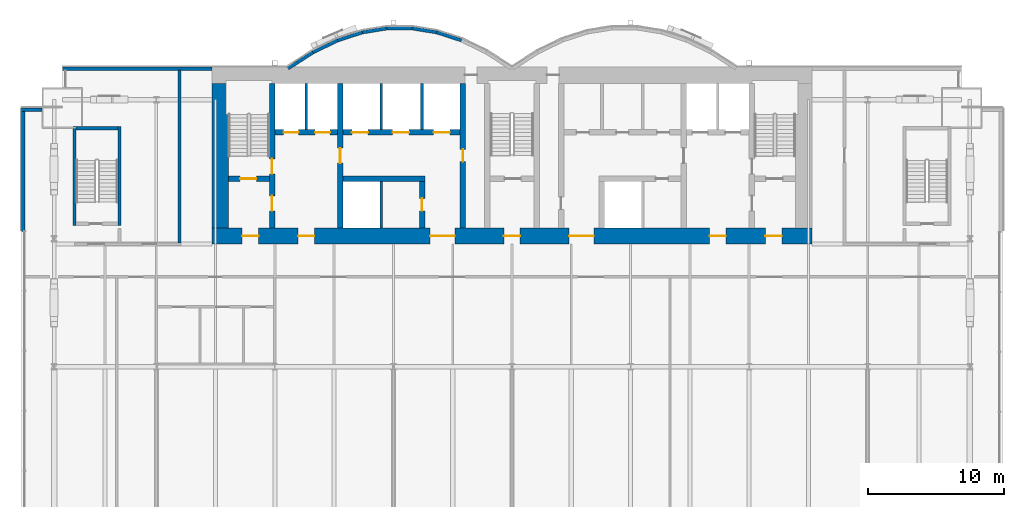
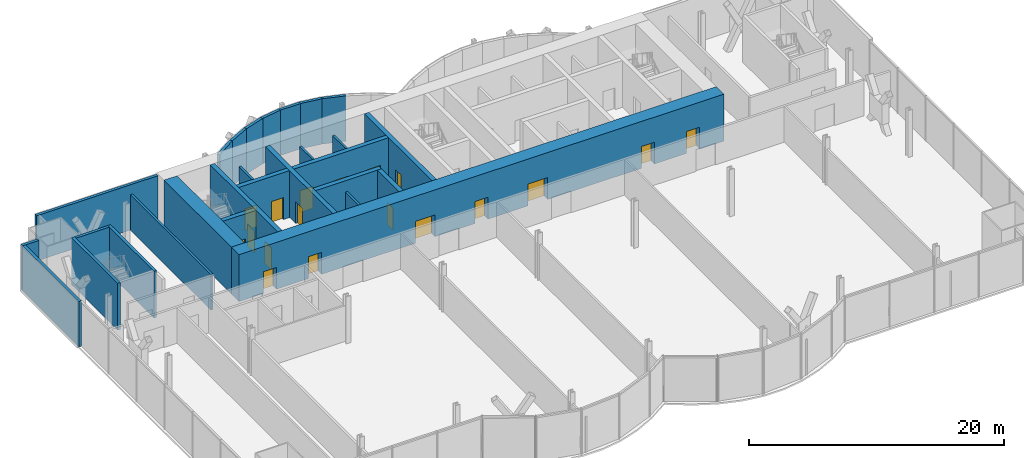
# One storey, part 16 of 22: 27 walls, 18 doors, 18 openings.
"""IFC4 building model written with IfcOpenShell, lengths in metres."""

from ifc_helpers import new_model, si_unit, direction, frame, frame_2d, origin, place, context, subcontext, project, spatial, rectangle, extrude, material, layer, layer_set, layer_usage, type_object, element, fill, save


model = new_model("IFC4")

# Units and contexts
model_context = context("Model", 3, precision=1e-05, world=origin(), true_north=direction((0.0, 1.0)))
body_context = subcontext(model_context, "Body", "Model", "MODEL_VIEW")
ifc_project = project(units=[si_unit("LENGTHUNIT", "METRE"), si_unit("AREAUNIT", "SQUARE_METRE"), si_unit("VOLUMEUNIT", "CUBIC_METRE"), si_unit("PLANEANGLEUNIT", "RADIAN"), si_unit("MASSUNIT", "GRAM", prefix="KILO")], contexts=[model_context])

# Site, building, storey
site_placement = place(None, origin())
site = spatial("IfcSite", under=ifc_project, at=site_placement, CompositionType="ELEMENT")
building_placement = place(site_placement, origin())
building = spatial("IfcBuilding", under=site, at=building_placement, Name="Bicima Exchange Tower", CompositionType="ELEMENT")
storey_placement = place(building_placement, frame((0.0, 0.0, 39.5)))
storey = spatial("IfcBuildingStorey", under=building, at=storey_placement, Name="L07", CompositionType="ELEMENT", Elevation=39.5)

# Walls
ifc_material_1 = material(Name="Gypsum board partition")
ifc_layer_1 = layer(ifc_material_1, 0.199951171875)
ifc_layer_set_1 = layer_set([ifc_layer_1], Name="Gypsum board partition")
wall_type_1 = type_object("IfcWallType", Name="Fire-rated gypsum partition 200 EI120", PredefinedType="PARTITIONING", material=ifc_layer_set_1)
for number, where, z_axis, x_axis, name in (
    (1, (-15.10009765625, -4.60009765625, 0.0), (0.0, 0.0, 1.0), (0.0, 1.0, 0.0), "partition wall 9"),
    (2, (-9.60009765625, -11.800048828125, 0.0), (0.0, 0.0, 1.0), (0.0, 1.0, 0.0), "partition wall 11"),
    (3, (-9.60009765625, -4.60009765625, 0.0), (0.0, 0.0, 1.0), (0.0, 1.0, 0.0), "partition wall 12"),
    (4, (-6.60009765625, -4.60009765625, 0.0), (0.0, 0.0, 1.0), (0.0, 1.0, 0.0), "partition wall 14"),
):
    element("IfcWall", number, at=place(storey_placement, frame(where, z_axis=z_axis, x_axis=x_axis)), inside=storey, type_object=wall_type_1, Name=name, PredefinedType="PARTITIONING", context=body_context, shape_type="SweptSolid", body=[
        extrude(rectangle(XDim=3.400146484375, YDim=0.199951171875, at=frame_2d((1.7001953125, 0.0))), origin(), (0.0, 0.0, 1.0), 3.418212890625),
    ])
ifc_layer_2 = layer(ifc_material_1, 0.199951171875)
ifc_layer_set_2 = layer_set([ifc_layer_2], Name="Gypsum board partition")
wall_type_2 = type_object("IfcWallType", Name="Fire-rated gypsum partition 200 EI60", PredefinedType="PARTITIONING", material=ifc_layer_set_2)
wall_1_placement = place(storey_placement, frame((-24.39990234375, -12.89990234375, 0.0), z_axis=(0.0, 0.0, 1.0), x_axis=(0.0, 1.0, 0.0)))
element("IfcWall", 5, at=wall_1_placement, inside=storey, type_object=wall_type_2, Name="partition wall 18", PredefinedType="PARTITIONING", context=body_context, shape_type="SweptSolid", body=[
    extrude(rectangle(XDim=12.68994140625, YDim=0.199951171875, at=frame_2d((6.344970703125, 0.0))), origin(), (0.0, 0.0, 1.0), 3.418212890625),
])

# Wall, openings, doors
ifc_material_2 = material(Name="Concrete C60/75", Category="concrete")
ifc_layer_3 = layer(ifc_material_2, 1.199951171875)
ifc_layer_set_3 = layer_set([ifc_layer_3], Name="Concrete C60/75")
wall_type_3 = type_object("IfcWallType", Name="RC core wall 1200 C60/75", PredefinedType="SHEAR", material=ifc_layer_set_3)
wall_2_placement = place(storey_placement, frame((-22.0, -12.39990234375, 0.0), z_axis=(0.0, 0.0, 1.0), x_axis=(1.0, 0.0, 0.0)))
wall_2 = element("IfcWall", 6, at=wall_2_placement, inside=storey, type_object=wall_type_3, Name="Core wall south", PredefinedType="SHEAR", context=body_context, shape_type="SweptSolid", body=[
    extrude(rectangle(XDim=44.0, YDim=1.199951171875, at=frame_2d((22.0, 0.0))), origin(), (0.0, 0.0, 1.0), 4.5),
])
opening_1_placement = place(wall_2_placement, frame((2.199951171875, 0.0, 0.0)))
opening_1 = element("IfcOpeningElement", 7, at=opening_1_placement, cuts=wall_2, Name="Opening L07-C19", PredefinedType="OPENING", context=body_context, shape_type="SweptSolid", body=[
    extrude(rectangle(XDim=1.199951171875, YDim=2.10009765625, at=frame_2d((0.60009765625, 1.050048828125))), frame((0.0, 0.61181640625, 0.0), z_axis=(0.0, -1.0, 0.0), x_axis=(1.0, 0.0, 0.0)), (0.0, 0.0, 1.0), 1.223876953125),
])
opening_2_placement = place(wall_2_placement, frame((21.39990234375, 0.0, 0.0)))
opening_2 = element("IfcOpeningElement", 8, at=opening_2_placement, cuts=wall_2, Name="Opening L07-C20", PredefinedType="OPENING", context=body_context, shape_type="SweptSolid", body=[
    extrude(rectangle(XDim=1.199951171875, YDim=2.10009765625, at=frame_2d((0.60009765625, 1.050048828125))), frame((0.0, 0.61181640625, 0.0), z_axis=(0.0, -1.0, 0.0), x_axis=(1.0, 0.0, 0.0)), (0.0, 0.0, 1.0), 1.223876953125),
])
opening_3_placement = place(wall_2_placement, frame((40.60009765625, 0.0, 0.0)))
opening_3 = element("IfcOpeningElement", 9, at=opening_3_placement, cuts=wall_2, Name="Opening L07-C21", PredefinedType="OPENING", context=body_context, shape_type="SweptSolid", body=[
    extrude(rectangle(XDim=1.199951171875, YDim=2.10009765625, at=frame_2d((0.60009765625, 1.050048828125))), frame((0.0, 0.61181640625, 0.0), z_axis=(0.0, -1.0, 0.0), x_axis=(1.0, 0.0, 0.0)), (0.0, 0.0, 1.0), 1.223876953125),
])
opening_4_placement = place(wall_2_placement, frame((16.0, 0.0, 0.0)))
opening_4 = element("IfcOpeningElement", 10, at=opening_4_placement, cuts=wall_2, Name="Opening L07-C22", PredefinedType="OPENING", context=body_context, shape_type="SweptSolid", body=[
    extrude(rectangle(XDim=1.800048828125, YDim=2.10009765625, at=frame_2d((0.89990234375, 1.050048828125))), frame((0.0, 0.61181640625, 0.0), z_axis=(0.0, -1.0, 0.0), x_axis=(1.0, 0.0, 0.0)), (0.0, 0.0, 1.0), 1.223876953125),
])
opening_5_placement = place(wall_2_placement, frame((6.300048828125, 0.0, 0.0)))
opening_5 = element("IfcOpeningElement", 11, at=opening_5_placement, cuts=wall_2, Name="Opening L07-C23", PredefinedType="OPENING", context=body_context, shape_type="SweptSolid", body=[
    extrude(rectangle(XDim=1.199951171875, YDim=2.10009765625, at=frame_2d((0.60009765625, 1.050048828125))), frame((0.0, 0.61181640625, 0.0), z_axis=(0.0, -1.0, 0.0), x_axis=(1.0, 0.0, 0.0)), (0.0, 0.0, 1.0), 1.223876953125),
])
opening_6_placement = place(wall_2_placement, frame((26.199951171875, 0.0, 0.0)))
opening_6 = element("IfcOpeningElement", 12, at=opening_6_placement, cuts=wall_2, Name="Opening L07-C24", PredefinedType="OPENING", context=body_context, shape_type="SweptSolid", body=[
    extrude(rectangle(XDim=1.800048828125, YDim=2.10009765625, at=frame_2d((0.89990234375, 1.050048828125))), frame((0.0, 0.61181640625, 0.0), z_axis=(0.0, -1.0, 0.0), x_axis=(1.0, 0.0, 0.0)), (0.0, 0.0, 1.0), 1.223876953125),
])
opening_7_placement = place(wall_2_placement, frame((36.5, 0.0, 0.0)))
opening_7 = element("IfcOpeningElement", 13, at=opening_7_placement, cuts=wall_2, Name="Opening L07-C25", PredefinedType="OPENING", context=body_context, shape_type="SweptSolid", body=[
    extrude(rectangle(XDim=1.199951171875, YDim=2.10009765625, at=frame_2d((0.60009765625, 1.050048828125))), frame((0.0, 0.61181640625, 0.0), z_axis=(0.0, -1.0, 0.0), x_axis=(1.0, 0.0, 0.0)), (0.0, 0.0, 1.0), 1.223876953125),
])
ifc_material_3 = material(Name="Steel fire door leaf", Category="steel")
door_type_1 = type_object("IfcDoorType", Name="Door 1200 swing FD60S", OperationType="SINGLE_SWING_LEFT", PredefinedType="DOOR", material=ifc_material_3)
door_1_placement = place(opening_1_placement, frame((1.199951171875, 0.0, 0.0), z_axis=(0.0, 0.0, 1.0), x_axis=(-1.0, 0.0, 0.0)))
door_1 = element("IfcDoor", 14, at=door_1_placement, inside=storey, type_object=door_type_1, Name="Core door", OperationType="SINGLE_SWING_RIGHT", OverallHeight=2.10009765625, OverallWidth=1.199951171875, PredefinedType="DOOR", context=body_context, shape_type="SweptSolid", body=[
    extrude(rectangle(XDim=1.199951171875, YDim=2.10009765625, at=frame_2d((0.60009765625, 1.050048828125))), frame((0.0, 0.02490234375, 0.0), z_axis=(0.0, -1.0, 0.0), x_axis=(1.0, 0.0, 0.0)), (0.0, 0.0, 1.0), 0.050048828125),
])
fill(opening_1, door_1)
door_2_placement = place(opening_2_placement, frame((1.199951171875, 0.0, 0.0), z_axis=(0.0, 0.0, 1.0), x_axis=(-1.0, 0.0, 0.0)))
door_2 = element("IfcDoor", 15, at=door_2_placement, inside=storey, type_object=door_type_1, Name="Core door", OperationType="SINGLE_SWING_RIGHT", OverallHeight=2.10009765625, OverallWidth=1.199951171875, PredefinedType="DOOR", context=body_context, shape_type="SweptSolid", body=[
    extrude(rectangle(XDim=1.199951171875, YDim=2.10009765625, at=frame_2d((0.60009765625, 1.050048828125))), frame((0.0, 0.02490234375, 0.0), z_axis=(0.0, -1.0, 0.0), x_axis=(1.0, 0.0, 0.0)), (0.0, 0.0, 1.0), 0.050048828125),
])
fill(opening_2, door_2)
door_3_placement = place(opening_3_placement, frame((1.199951171875, 0.0, 0.0), z_axis=(0.0, 0.0, 1.0), x_axis=(-1.0, 0.0, 0.0)))
door_3 = element("IfcDoor", 16, at=door_3_placement, inside=storey, type_object=door_type_1, Name="Core door", OperationType="SINGLE_SWING_RIGHT", OverallHeight=2.10009765625, OverallWidth=1.199951171875, PredefinedType="DOOR", context=body_context, shape_type="SweptSolid", body=[
    extrude(rectangle(XDim=1.199951171875, YDim=2.10009765625, at=frame_2d((0.60009765625, 1.050048828125))), frame((0.0, 0.02490234375, 0.0), z_axis=(0.0, -1.0, 0.0), x_axis=(1.0, 0.0, 0.0)), (0.0, 0.0, 1.0), 0.050048828125),
])
fill(opening_3, door_3)
door_4_placement = place(opening_5_placement, frame((1.199951171875, 0.0, 0.0), z_axis=(0.0, 0.0, 1.0), x_axis=(-1.0, 0.0, 0.0)))
door_4 = element("IfcDoor", 17, at=door_4_placement, inside=storey, type_object=door_type_1, Name="Core door", OperationType="SINGLE_SWING_RIGHT", OverallHeight=2.10009765625, OverallWidth=1.199951171875, PredefinedType="DOOR", context=body_context, shape_type="SweptSolid", body=[
    extrude(rectangle(XDim=1.199951171875, YDim=2.10009765625, at=frame_2d((0.60009765625, 1.050048828125))), frame((0.0, 0.02490234375, 0.0), z_axis=(0.0, -1.0, 0.0), x_axis=(1.0, 0.0, 0.0)), (0.0, 0.0, 1.0), 0.050048828125),
])
fill(opening_5, door_4)
door_5_placement = place(opening_7_placement, frame((1.199951171875, 0.0, 0.0), z_axis=(0.0, 0.0, 1.0), x_axis=(-1.0, 0.0, 0.0)))
door_5 = element("IfcDoor", 18, at=door_5_placement, inside=storey, type_object=door_type_1, Name="Core door", OperationType="SINGLE_SWING_RIGHT", OverallHeight=2.10009765625, OverallWidth=1.199951171875, PredefinedType="DOOR", context=body_context, shape_type="SweptSolid", body=[
    extrude(rectangle(XDim=1.199951171875, YDim=2.10009765625, at=frame_2d((0.60009765625, 1.050048828125))), frame((0.0, 0.02490234375, 0.0), z_axis=(0.0, -1.0, 0.0), x_axis=(1.0, 0.0, 0.0)), (0.0, 0.0, 1.0), 0.050048828125),
])
fill(opening_7, door_5)
door_type_2 = type_object("IfcDoorType", Name="Door 1800 double swing FD30S", OperationType="DOUBLE_DOOR_SINGLE_SWING", PredefinedType="DOOR", material=ifc_material_3)
door_6_placement = place(opening_4_placement, origin())
door_6 = element("IfcDoor", 19, at=door_6_placement, inside=storey, type_object=door_type_2, Name="Core door", OperationType="SINGLE_SWING_LEFT", OverallHeight=2.10009765625, OverallWidth=1.800048828125, PredefinedType="DOOR", context=body_context, shape_type="SweptSolid", body=[
    extrude(rectangle(XDim=1.800048828125, YDim=2.10009765625, at=frame_2d((0.89990234375, 1.050048828125))), frame((0.0, 0.02490234375, 0.0), z_axis=(0.0, -1.0, 0.0), x_axis=(1.0, 0.0, 0.0)), (0.0, 0.0, 1.0), 0.050048828125),
])
fill(opening_4, door_6)
door_7_placement = place(opening_6_placement, origin())
door_7 = element("IfcDoor", 20, at=door_7_placement, inside=storey, type_object=door_type_2, Name="Core door", OperationType="SINGLE_SWING_LEFT", OverallHeight=2.10009765625, OverallWidth=1.800048828125, PredefinedType="DOOR", context=body_context, shape_type="SweptSolid", body=[
    extrude(rectangle(XDim=1.800048828125, YDim=2.10009765625, at=frame_2d((0.89990234375, 1.050048828125))), frame((0.0, 0.02490234375, 0.0), z_axis=(0.0, -1.0, 0.0), x_axis=(1.0, 0.0, 0.0)), (0.0, 0.0, 1.0), 0.050048828125),
])
fill(opening_6, door_7)

# Wall
wall_3_placement = place(storey_placement, frame((-21.39990234375, -11.800048828125, 0.0), z_axis=(0.0, 0.0, 1.0), x_axis=(0.0, 1.0, 0.0)))
element("IfcWall", 21, at=wall_3_placement, inside=storey, type_object=wall_type_3, Name="Core wall west", PredefinedType="SHEAR", context=body_context, shape_type="SweptSolid", body=[
    extrude(rectangle(XDim=10.60009765625, YDim=1.199951171875, at=frame_2d((5.300048828125, 0.0))), origin(), (0.0, 0.0, 1.0), 4.5),
])

# Wall, opening, door
ifc_material_4 = material(Name="Concrete C50/60", Category="concrete")
ifc_layer_4 = layer(ifc_material_4, 0.39990234375)
ifc_layer_set_4 = layer_set([ifc_layer_4], Name="Concrete C50/60")
wall_type_4 = type_object("IfcWallType", Name="RC core wall 400 C50/60", PredefinedType="SHEAR", material=ifc_layer_set_4)
wall_4_placement = place(storey_placement, frame((-20.800048828125, -8.199951171875, 0.0), z_axis=(0.0, 0.0, 1.0), x_axis=(1.0, 0.0, 0.0)))
wall_4 = element("IfcWall", 22, at=wall_4_placement, inside=storey, type_object=wall_type_4, Name="stair wall 1", PredefinedType="SHEAR", context=body_context, shape_type="SweptSolid", body=[
    extrude(rectangle(XDim=3.0, YDim=0.39990234375, at=frame_2d((1.5, 0.0))), origin(), (0.0, 0.0, 1.0), 4.5),
])
opening_8_placement = place(wall_4_placement, frame((0.85009765625, 0.0, 0.0)))
opening_8 = element("IfcOpeningElement", 23, at=opening_8_placement, cuts=wall_4, Name="Opening L07-C01", PredefinedType="OPENING", context=body_context, shape_type="SweptSolid", body=[
    extrude(rectangle(XDim=1.199951171875, YDim=2.10009765625, at=frame_2d((0.60009765625, 1.050048828125))), frame((0.0, 0.2119140625, 0.0), z_axis=(0.0, -1.0, 0.0), x_axis=(1.0, 0.0, 0.0)), (0.0, 0.0, 1.0), 0.423828125),
])
door_8_placement = place(opening_8_placement, origin())
door_8 = element("IfcDoor", 24, at=door_8_placement, inside=storey, type_object=door_type_1, Name="Core door", OperationType="SINGLE_SWING_LEFT", OverallHeight=2.10009765625, OverallWidth=1.199951171875, PredefinedType="DOOR", context=body_context, shape_type="SweptSolid", body=[
    extrude(rectangle(XDim=1.199951171875, YDim=2.10009765625, at=frame_2d((0.60009765625, 1.050048828125))), frame((0.0, 0.02490234375, 0.0), z_axis=(0.0, -1.0, 0.0), x_axis=(1.0, 0.0, 0.0)), (0.0, 0.0, 1.0), 0.050048828125),
])
fill(opening_8, door_8)

# Wall, openings, doors
wall_5_placement = place(storey_placement, frame((-17.60009765625, -11.800048828125, 0.0), z_axis=(0.0, 0.0, 1.0), x_axis=(0.0, 1.0, 0.0)))
wall_5 = element("IfcWall", 25, at=wall_5_placement, inside=storey, type_object=wall_type_4, Name="stair wall 8", PredefinedType="SHEAR", context=body_context, shape_type="SweptSolid", body=[
    extrude(rectangle(XDim=10.60009765625, YDim=0.39990234375, at=frame_2d((5.300048828125, 0.0))), origin(), (0.0, 0.0, 1.0), 4.5),
])
opening_9_placement = place(wall_5_placement, frame((1.25, 0.0, 0.0)))
opening_9 = element("IfcOpeningElement", 26, at=opening_9_placement, cuts=wall_5, Name="Opening L07-C02", PredefinedType="OPENING", context=body_context, shape_type="SweptSolid", body=[
    extrude(rectangle(XDim=1.10009765625, YDim=2.10009765625, at=frame_2d((0.550048828125, 1.050048828125))), frame((0.0, 0.2119140625, 0.0), z_axis=(0.0, -1.0, 0.0), x_axis=(1.0, 0.0, 0.0)), (0.0, 0.0, 1.0), 0.423828125),
])
opening_10_placement = place(wall_5_placement, frame((3.949951171875, 0.0, 0.0)))
opening_10 = element("IfcOpeningElement", 27, at=opening_10_placement, cuts=wall_5, Name="Opening L07-C06", PredefinedType="OPENING", context=body_context, shape_type="SweptSolid", body=[
    extrude(rectangle(XDim=1.10009765625, YDim=2.10009765625, at=frame_2d((0.550048828125, 1.050048828125))), frame((0.0, 0.2119140625, 0.0), z_axis=(0.0, -1.0, 0.0), x_axis=(1.0, 0.0, 0.0)), (0.0, 0.0, 1.0), 0.423828125),
])
door_type_3 = type_object("IfcDoorType", Name="Door 1100 swing FD60S", OperationType="SINGLE_SWING_LEFT", PredefinedType="DOOR", material=ifc_material_3)
door_9_placement = place(opening_9_placement, frame((1.10009765625, 0.0, 0.0), z_axis=(0.0, 0.0, 1.0), x_axis=(-1.0, 0.0, 0.0)))
door_9 = element("IfcDoor", 28, at=door_9_placement, inside=storey, type_object=door_type_3, Name="Core door", OperationType="SINGLE_SWING_LEFT", OverallHeight=2.10009765625, OverallWidth=1.10009765625, PredefinedType="DOOR", context=body_context, shape_type="SweptSolid", body=[
    extrude(rectangle(XDim=1.10009765625, YDim=2.10009765625, at=frame_2d((0.550048828125, 1.050048828125))), frame((0.0, 0.02490234375, 0.0), z_axis=(0.0, -1.0, 0.0), x_axis=(1.0, 0.0, 0.0)), (0.0, 0.0, 1.0), 0.050048828125),
])
fill(opening_9, door_9)
door_10_placement = place(opening_10_placement, frame((1.10009765625, 0.0, 0.0), z_axis=(0.0, 0.0, 1.0), x_axis=(-1.0, 0.0, 0.0)))
door_10 = element("IfcDoor", 29, at=door_10_placement, inside=storey, type_object=door_type_3, Name="Core door", OperationType="SINGLE_SWING_LEFT", OverallHeight=2.10009765625, OverallWidth=1.10009765625, PredefinedType="DOOR", context=body_context, shape_type="SweptSolid", body=[
    extrude(rectangle(XDim=1.10009765625, YDim=2.10009765625, at=frame_2d((0.550048828125, 1.050048828125))), frame((0.0, 0.02490234375, 0.0), z_axis=(0.0, -1.0, 0.0), x_axis=(1.0, 0.0, 0.0)), (0.0, 0.0, 1.0), 0.050048828125),
])
fill(opening_10, door_10)

# Wall
ifc_layer_5 = layer(ifc_material_2, 0.39990234375)
ifc_layer_set_5 = layer_set([ifc_layer_5], Name="Concrete C60/75")
wall_type_5 = type_object("IfcWallType", Name="RC core wall 400 C60/75", PredefinedType="SHEAR", material=ifc_layer_set_5)
wall_6_placement = place(storey_placement, frame((-12.39990234375, -8.199951171875, 0.0), z_axis=(0.0, 0.0, 1.0), x_axis=(1.0, 0.0, 0.0)))
element("IfcWall", 30, at=wall_6_placement, inside=storey, type_object=wall_type_5, Name="shear wall 2", PredefinedType="SHEAR", context=body_context, shape_type="SweptSolid", body=[
    extrude(rectangle(XDim=6.0, YDim=0.39990234375, at=frame_2d((3.0, 0.0))), origin(), (0.0, 0.0, 1.0), 4.5),
])

# Wall, openings, doors
wall_7_placement = place(storey_placement, frame((-17.39990234375, -4.800048828125, 0.0), z_axis=(0.0, 0.0, 1.0), x_axis=(1.0, 0.0, 0.0)))
wall_7 = element("IfcWall", 31, at=wall_7_placement, inside=storey, type_object=wall_type_5, Name="shear wall 6", PredefinedType="SHEAR", context=body_context, shape_type="SweptSolid", body=[
    extrude(rectangle(XDim=13.599853515625, YDim=0.39990234375, at=frame_2d((6.7998046875, 0.0))), origin(), (0.0, 0.0, 1.0), 4.5),
])
opening_11_placement = place(wall_7_placement, frame((0.64990234375, 0.0, 0.0)))
opening_11 = element("IfcOpeningElement", 32, at=opening_11_placement, cuts=wall_7, Name="Opening LD-FF1-L07", PredefinedType="OPENING", context=body_context, shape_type="SweptSolid", body=[
    extrude(rectangle(XDim=1.10009765625, YDim=2.10009765625, at=frame_2d((0.550048828125, 1.050048828125))), frame((0.0, 0.2119140625, 0.0), z_axis=(0.0, -1.0, 0.0), x_axis=(1.0, 0.0, 0.0)), (0.0, 0.0, 1.0), 0.423828125),
])
opening_12_placement = place(wall_7_placement, frame((2.949951171875, 0.0, 0.0)))
opening_12 = element("IfcOpeningElement", 33, at=opening_12_placement, cuts=wall_7, Name="Opening LD-FF3-L07", PredefinedType="OPENING", context=body_context, shape_type="SweptSolid", body=[
    extrude(rectangle(XDim=1.10009765625, YDim=2.10009765625, at=frame_2d((0.550048828125, 1.050048828125))), frame((0.0, 0.2119140625, 0.0), z_axis=(0.0, -1.0, 0.0), x_axis=(1.0, 0.0, 0.0)), (0.0, 0.0, 1.0), 0.423828125),
])
opening_13_placement = place(wall_7_placement, frame((5.64990234375, 0.0, 0.0)))
opening_13 = element("IfcOpeningElement", 34, at=opening_13_placement, cuts=wall_7, Name="Opening LD-LB1-L07", PredefinedType="OPENING", context=body_context, shape_type="SweptSolid", body=[
    extrude(rectangle(XDim=1.199951171875, YDim=2.10009765625, at=frame_2d((0.60009765625, 1.050048828125))), frame((0.0, 0.2119140625, 0.0), z_axis=(0.0, -1.0, 0.0), x_axis=(1.0, 0.0, 0.0)), (0.0, 0.0, 1.0), 0.423828125),
])
opening_14_placement = place(wall_7_placement, frame((8.64990234375, 0.0, 0.0)))
opening_14 = element("IfcOpeningElement", 35, at=opening_14_placement, cuts=wall_7, Name="Opening LD-LB2-L07", PredefinedType="OPENING", context=body_context, shape_type="SweptSolid", body=[
    extrude(rectangle(XDim=1.199951171875, YDim=2.10009765625, at=frame_2d((0.60009765625, 1.050048828125))), frame((0.0, 0.2119140625, 0.0), z_axis=(0.0, -1.0, 0.0), x_axis=(1.0, 0.0, 0.0)), (0.0, 0.0, 1.0), 0.423828125),
])
opening_15_placement = place(wall_7_placement, frame((11.64990234375, 0.0, 0.0)))
opening_15 = element("IfcOpeningElement", 36, at=opening_15_placement, cuts=wall_7, Name="Opening LD-LB3-L07", PredefinedType="OPENING", context=body_context, shape_type="SweptSolid", body=[
    extrude(rectangle(XDim=1.199951171875, YDim=2.10009765625, at=frame_2d((0.60009765625, 1.050048828125))), frame((0.0, 0.2119140625, 0.0), z_axis=(0.0, -1.0, 0.0), x_axis=(1.0, 0.0, 0.0)), (0.0, 0.0, 1.0), 0.423828125),
])
ifc_material_5 = material(Name="Stainless steel", Category="steel")
door_type_4 = type_object("IfcDoorType", Name="Lift landing door 1100 sliding", OperationType="DOUBLE_DOOR_SLIDING", PredefinedType="DOOR", material=ifc_material_5)
door_11_placement = place(opening_11_placement, origin())
door_11 = element("IfcDoor", 37, at=door_11_placement, inside=storey, type_object=door_type_4, Name="Lift landing door FF1", OperationType="DOUBLE_DOOR_SLIDING", OverallHeight=2.10009765625, OverallWidth=1.10009765625, PredefinedType="DOOR", context=body_context, shape_type="SweptSolid", body=[
    extrude(rectangle(XDim=1.10009765625, YDim=2.10009765625, at=frame_2d((0.550048828125, 1.050048828125))), frame((0.0, 0.02490234375, 0.0), z_axis=(0.0, -1.0, 0.0), x_axis=(1.0, 0.0, 0.0)), (0.0, 0.0, 1.0), 0.050048828125),
])
fill(opening_11, door_11)
door_12_placement = place(opening_12_placement, origin())
door_12 = element("IfcDoor", 38, at=door_12_placement, inside=storey, type_object=door_type_4, Name="Lift landing door FF3", OperationType="DOUBLE_DOOR_SLIDING", OverallHeight=2.10009765625, OverallWidth=1.10009765625, PredefinedType="DOOR", context=body_context, shape_type="SweptSolid", body=[
    extrude(rectangle(XDim=1.10009765625, YDim=2.10009765625, at=frame_2d((0.550048828125, 1.050048828125))), frame((0.0, 0.02490234375, 0.0), z_axis=(0.0, -1.0, 0.0), x_axis=(1.0, 0.0, 0.0)), (0.0, 0.0, 1.0), 0.050048828125),
])
fill(opening_12, door_12)
door_type_5 = type_object("IfcDoorType", Name="Lift landing door 1200 sliding", OperationType="DOUBLE_DOOR_SLIDING", PredefinedType="DOOR", material=ifc_material_5)
door_13_placement = place(opening_13_placement, origin())
door_13 = element("IfcDoor", 39, at=door_13_placement, inside=storey, type_object=door_type_5, Name="Lift landing door LB1", OperationType="DOUBLE_DOOR_SLIDING", OverallHeight=2.10009765625, OverallWidth=1.199951171875, PredefinedType="DOOR", context=body_context, shape_type="SweptSolid", body=[
    extrude(rectangle(XDim=1.199951171875, YDim=2.10009765625, at=frame_2d((0.60009765625, 1.050048828125))), frame((0.0, 0.02490234375, 0.0), z_axis=(0.0, -1.0, 0.0), x_axis=(1.0, 0.0, 0.0)), (0.0, 0.0, 1.0), 0.050048828125),
])
fill(opening_13, door_13)
door_14_placement = place(opening_14_placement, origin())
door_14 = element("IfcDoor", 40, at=door_14_placement, inside=storey, type_object=door_type_5, Name="Lift landing door LB2", OperationType="DOUBLE_DOOR_SLIDING", OverallHeight=2.10009765625, OverallWidth=1.199951171875, PredefinedType="DOOR", context=body_context, shape_type="SweptSolid", body=[
    extrude(rectangle(XDim=1.199951171875, YDim=2.10009765625, at=frame_2d((0.60009765625, 1.050048828125))), frame((0.0, 0.02490234375, 0.0), z_axis=(0.0, -1.0, 0.0), x_axis=(1.0, 0.0, 0.0)), (0.0, 0.0, 1.0), 0.050048828125),
])
fill(opening_14, door_14)
door_15_placement = place(opening_15_placement, origin())
door_15 = element("IfcDoor", 41, at=door_15_placement, inside=storey, type_object=door_type_5, Name="Lift landing door LB3", OperationType="DOUBLE_DOOR_SLIDING", OverallHeight=2.10009765625, OverallWidth=1.199951171875, PredefinedType="DOOR", context=body_context, shape_type="SweptSolid", body=[
    extrude(rectangle(XDim=1.199951171875, YDim=2.10009765625, at=frame_2d((0.60009765625, 1.050048828125))), frame((0.0, 0.02490234375, 0.0), z_axis=(0.0, -1.0, 0.0), x_axis=(1.0, 0.0, 0.0)), (0.0, 0.0, 1.0), 0.050048828125),
])
fill(opening_15, door_15)

# Wall, opening, door
wall_8_placement = place(storey_placement, frame((-12.60009765625, -11.800048828125, 0.0), z_axis=(0.0, 0.0, 1.0), x_axis=(0.0, 1.0, 0.0)))
wall_8 = element("IfcWall", 42, at=wall_8_placement, inside=storey, type_object=wall_type_5, Name="shear wall 10", PredefinedType="SHEAR", context=body_context, shape_type="SweptSolid", body=[
    extrude(rectangle(XDim=10.60009765625, YDim=0.39990234375, at=frame_2d((5.300048828125, 0.0))), origin(), (0.0, 0.0, 1.0), 4.5),
])
opening_16_placement = place(wall_8_placement, frame((4.75, 0.0, 0.0)))
opening_16 = element("IfcOpeningElement", 43, at=opening_16_placement, cuts=wall_8, Name="Opening L07-C07", PredefinedType="OPENING", context=body_context, shape_type="SweptSolid", body=[
    extrude(rectangle(XDim=1.10009765625, YDim=2.10009765625, at=frame_2d((0.550048828125, 1.050048828125))), frame((0.0, 0.2119140625, 0.0), z_axis=(0.0, -1.0, 0.0), x_axis=(1.0, 0.0, 0.0)), (0.0, 0.0, 1.0), 0.423828125),
])
door_16_placement = place(opening_16_placement, origin())
door_16 = element("IfcDoor", 44, at=door_16_placement, inside=storey, type_object=door_type_3, Name="Core door", OperationType="SINGLE_SWING_LEFT", OverallHeight=2.10009765625, OverallWidth=1.10009765625, PredefinedType="DOOR", context=body_context, shape_type="SweptSolid", body=[
    extrude(rectangle(XDim=1.10009765625, YDim=2.10009765625, at=frame_2d((0.550048828125, 1.050048828125))), frame((0.0, 0.02490234375, 0.0), z_axis=(0.0, -1.0, 0.0), x_axis=(1.0, 0.0, 0.0)), (0.0, 0.0, 1.0), 0.050048828125),
])
fill(opening_16, door_16)

wall_9_placement = place(storey_placement, frame((-6.60009765625, -11.800048828125, 0.0), z_axis=(0.0, 0.0, 1.0), x_axis=(0.0, 1.0, 0.0)))
wall_9 = element("IfcWall", 45, at=wall_9_placement, inside=storey, type_object=wall_type_5, Name="shear wall 13", PredefinedType="SHEAR", context=body_context, shape_type="SweptSolid", body=[
    extrude(rectangle(XDim=3.400146484375, YDim=0.39990234375, at=frame_2d((1.7001953125, 0.0))), origin(), (0.0, 0.0, 1.0), 4.5),
])
opening_17_placement = place(wall_9_placement, frame((1.25, 0.0, 0.0)))
opening_17 = element("IfcOpeningElement", 46, at=opening_17_placement, cuts=wall_9, Name="Opening L07-C15", PredefinedType="OPENING", context=body_context, shape_type="SweptSolid", body=[
    extrude(rectangle(XDim=0.89990234375, YDim=2.10009765625, at=frame_2d((0.449951171875, 1.050048828125))), frame((0.0, 0.2119140625, 0.0), z_axis=(0.0, -1.0, 0.0), x_axis=(1.0, 0.0, 0.0)), (0.0, 0.0, 1.0), 0.423828125),
])
door_type_6 = type_object("IfcDoorType", Name="Door 900 swing FD30S", OperationType="SINGLE_SWING_LEFT", PredefinedType="DOOR", material=ifc_material_3)
door_17_placement = place(opening_17_placement, origin())
door_17 = element("IfcDoor", 47, at=door_17_placement, inside=storey, type_object=door_type_6, Name="Core door", OperationType="SINGLE_SWING_LEFT", OverallHeight=2.10009765625, OverallWidth=0.89990234375, PredefinedType="DOOR", context=body_context, shape_type="SweptSolid", body=[
    extrude(rectangle(XDim=0.89990234375, YDim=2.10009765625, at=frame_2d((0.449951171875, 1.050048828125))), frame((0.0, 0.02490234375, 0.0), z_axis=(0.0, -1.0, 0.0), x_axis=(1.0, 0.0, 0.0)), (0.0, 0.0, 1.0), 0.050048828125),
])
fill(opening_17, door_17)

wall_10_placement = place(storey_placement, frame((-3.60009765625, -11.800048828125, 0.0), z_axis=(0.0, 0.0, 1.0), x_axis=(0.0, 1.0, 0.0)))
wall_10 = element("IfcWall", 48, at=wall_10_placement, inside=storey, type_object=wall_type_5, Name="shear wall 15", PredefinedType="SHEAR", context=body_context, shape_type="SweptSolid", body=[
    extrude(rectangle(XDim=10.60009765625, YDim=0.39990234375, at=frame_2d((5.300048828125, 0.0))), origin(), (0.0, 0.0, 1.0), 4.5),
])
opening_18_placement = place(wall_10_placement, frame((4.85009765625, 0.0, 0.0)))
opening_18 = element("IfcOpeningElement", 49, at=opening_18_placement, cuts=wall_10, Name="Opening L07-C10", PredefinedType="OPENING", context=body_context, shape_type="SweptSolid", body=[
    extrude(rectangle(XDim=0.89990234375, YDim=2.10009765625, at=frame_2d((0.449951171875, 1.050048828125))), frame((0.0, 0.2119140625, 0.0), z_axis=(0.0, -1.0, 0.0), x_axis=(1.0, 0.0, 0.0)), (0.0, 0.0, 1.0), 0.423828125),
])
door_18_placement = place(opening_18_placement, frame((0.89990234375, 0.0, 0.0), z_axis=(0.0, 0.0, 1.0), x_axis=(-1.0, 0.0, 0.0)))
door_18 = element("IfcDoor", 50, at=door_18_placement, inside=storey, type_object=door_type_6, Name="Core door", OperationType="SINGLE_SWING_LEFT", OverallHeight=2.10009765625, OverallWidth=0.89990234375, PredefinedType="DOOR", context=body_context, shape_type="SweptSolid", body=[
    extrude(rectangle(XDim=0.89990234375, YDim=2.10009765625, at=frame_2d((0.449951171875, 1.050048828125))), frame((0.0, 0.02490234375, 0.0), z_axis=(0.0, -1.0, 0.0), x_axis=(1.0, 0.0, 0.0)), (0.0, 0.0, 1.0), 0.050048828125),
])
fill(opening_18, door_18)

# Walls
ifc_layer_6 = layer(ifc_material_4, 0.25)
ifc_layer_set_6 = layer_set([ifc_layer_6], Name="Concrete C50/60")
wall_type_6 = type_object("IfcWallType", Name="RC stair enclosure wall 250 C50/60", PredefinedType="SHEAR", material=ifc_layer_set_6)
for number, where, z_axis, x_axis, name in (
    (51, (-32.10009765625, -11.625, 0.0), (0.0, 0.0, 1.0), (0.0, 1.0, 0.0), "West end exit stair wall W"),
    (52, (-28.800048828125, -11.625, 0.0), (0.0, 0.0, 1.0), (0.0, 1.0, 0.0), "West end exit stair wall E"),
):
    element("IfcWall", number, at=place(storey_placement, frame(where, z_axis=z_axis, x_axis=x_axis)), inside=storey, type_object=wall_type_6, Name=name, PredefinedType="SHEAR", context=body_context, shape_type="SweptSolid", body=[
        extrude(rectangle(XDim=7.25, YDim=0.25, at=frame_2d((3.625, 0.0))), origin(), (0.0, 0.0, 1.0), 4.5),
    ])
wall_11_placement = place(storey_placement, frame((-31.97509765625, -4.5, 0.0), z_axis=(0.0, 0.0, 1.0), x_axis=(1.0, 0.0, 0.0)))
element("IfcWall", 53, at=wall_11_placement, inside=storey, type_object=wall_type_6, Name="West end exit stair wall N", PredefinedType="SHEAR", context=body_context, shape_type="SweptSolid", body=[
    extrude(rectangle(XDim=3.050048828125, YDim=0.25, at=frame_2d((1.52490234375, 0.0))), origin(), (0.0, 0.0, 1.0), 4.5),
])
ifc_material_6 = material(Name="Concrete C40/50", Category="concrete")
ifc_layer_7 = layer(ifc_material_6, 0.25)
ifc_layer_set_7 = layer_set([ifc_layer_7], Name="Concrete C40/50")
ifc_layer_usage = layer_usage(ifc_layer_set_7, "AXIS2", "POSITIVE", -0.125)
wall_type_7 = type_object("IfcWallType", Name="Rear backup wall 250", PredefinedType="STANDARD", material=ifc_layer_set_7)
wall_12_placement = place(storey_placement, frame((-3.705078125, 1.955078125, 0.0), z_axis=(0.0, 0.0, 1.0), x_axis=(-0.951495806175, 0.307661714928, 0.0)))
element("IfcWall", 54, at=wall_12_placement, inside=storey, type_object=wall_type_7, material=ifc_layer_usage, Name="Rear backup wall L07 13", PredefinedType="STANDARD", context=body_context, shape_type="SweptSolid", body=[
    extrude(rectangle(XDim=1.9267578125, YDim=0.25, at=frame_2d((0.96337890625, 0.0))), origin(), (0.0, 0.0, 1.0), 4.35009765625),
])
wall_13_placement = place(storey_placement, frame((-5.52001953125, 2.543212890625, 0.0), z_axis=(0.0, 0.0, 1.0), x_axis=(-0.987181718931, 0.159600293885, 0.0)))
element("IfcWall", 55, at=wall_13_placement, inside=storey, type_object=wall_type_7, material=ifc_layer_usage, Name="Rear backup wall L07 14", PredefinedType="STANDARD", context=body_context, shape_type="SweptSolid", body=[
    extrude(rectangle(XDim=1.857177734375, YDim=0.25, at=frame_2d((0.9287109375, 0.0))), origin(), (0.0, 0.0, 1.0), 4.35009765625),
])
wall_14_placement = place(storey_placement, frame((-7.333251953125, 2.837890625, 0.0), z_axis=(0.0, 0.0, 1.0), x_axis=(-1.0, 0.0, 0.0)))
element("IfcWall", 56, at=wall_14_placement, inside=storey, type_object=wall_type_7, material=ifc_layer_usage, Name="Rear backup wall L07 15", PredefinedType="STANDARD", context=body_context, shape_type="SweptSolid", body=[
    extrude(rectangle(XDim=1.83349609375, YDim=0.25, at=frame_2d((0.916748046875, 0.0))), origin(), (0.0, 0.0, 1.0), 4.35009765625),
])
wall_15_placement = place(storey_placement, frame((-9.146728515625, 2.839599609375, 0.0), z_axis=(0.0, 0.0, 1.0), x_axis=(-0.987181718931, -0.159600293885, 0.0)))
element("IfcWall", 57, at=wall_15_placement, inside=storey, type_object=wall_type_7, material=ifc_layer_usage, Name="Rear backup wall L07 16", PredefinedType="STANDARD", context=body_context, shape_type="SweptSolid", body=[
    extrude(rectangle(XDim=1.857177734375, YDim=0.25, at=frame_2d((0.9287109375, 0.0))), origin(), (0.0, 0.0, 1.0), 4.35009765625),
])
wall_16_placement = place(storey_placement, frame((-10.961669921875, 2.5478515625, 0.0), z_axis=(0.0, 0.0, 1.0), x_axis=(-0.951495806175, -0.307661714928, 0.0)))
element("IfcWall", 58, at=wall_16_placement, inside=storey, type_object=wall_type_7, material=ifc_layer_usage, Name="Rear backup wall L07 17", PredefinedType="STANDARD", context=body_context, shape_type="SweptSolid", body=[
    extrude(rectangle(XDim=1.9267578125, YDim=0.25, at=frame_2d((0.96337890625, 0.0))), origin(), (0.0, 0.0, 1.0), 4.35009765625),
])
wall_17_placement = place(storey_placement, frame((-12.77880859375, 1.961669921875, 0.0), z_axis=(0.0, 0.0, 1.0), x_axis=(-0.89982408427, -0.436252928206, 0.0)))
element("IfcWall", 59, at=wall_17_placement, inside=storey, type_object=wall_type_7, material=ifc_layer_usage, Name="Rear backup wall L07 18", PredefinedType="STANDARD", context=body_context, shape_type="SweptSolid", body=[
    extrude(rectangle(XDim=2.03759765625, YDim=0.25, at=frame_2d((1.018798828125, 0.0))), origin(), (0.0, 0.0, 1.0), 4.35009765625),
])
wall_18_placement = place(storey_placement, frame((-14.598876953125, 1.080078125, 0.0), z_axis=(0.0, 0.0, 1.0), x_axis=(-0.83981312244, -0.542875602121, 0.0)))
element("IfcWall", 60, at=wall_18_placement, inside=storey, type_object=wall_type_7, material=ifc_layer_usage, Name="Rear backup wall L07 19", PredefinedType="STANDARD", context=body_context, shape_type="SweptSolid", body=[
    extrude(rectangle(XDim=2.182861328125, YDim=0.25, at=frame_2d((1.09130859375, 0.0))), origin(), (0.0, 0.0, 1.0), 4.35009765625),
])
wall_19_placement = place(storey_placement, frame((-22.0, -0.125, 0.0), z_axis=(0.0, 0.0, 1.0), x_axis=(-1.0, 0.0, 0.0)))
element("IfcWall", 61, at=wall_19_placement, inside=storey, type_object=wall_type_7, material=ifc_layer_usage, Name="Rear backup wall L07 20", PredefinedType="STANDARD", context=body_context, shape_type="SweptSolid", body=[
    extrude(rectangle(XDim=11.0, YDim=0.25, at=frame_2d((5.5, 0.0))), origin(), (0.0, 0.0, 1.0), 4.35009765625),
])
wall_20_placement = place(storey_placement, frame((-34.5, -3.125, 0.0), z_axis=(0.0, 0.0, 1.0), x_axis=(-1.0, 0.0, 0.0)))
element("IfcWall", 62, at=wall_20_placement, inside=storey, type_object=wall_type_7, material=ifc_layer_usage, Name="Rear backup wall L07 22", PredefinedType="STANDARD", context=body_context, shape_type="SweptSolid", body=[
    extrude(rectangle(XDim=1.5, YDim=0.25, at=frame_2d((0.75, 0.0))), origin(), (0.0, 0.0, 1.0), 4.35009765625),
])
wall_21_placement = place(storey_placement, frame((-35.875, -3.0, 0.0), z_axis=(0.0, 0.0, 1.0), x_axis=(0.0, -1.0, 0.0)))
element("IfcWall", 63, at=wall_21_placement, inside=storey, type_object=wall_type_7, material=ifc_layer_usage, Name="Rear backup wall L07 23", PredefinedType="STANDARD", context=body_context, shape_type="SweptSolid", body=[
    extrude(rectangle(XDim=9.090087890625, YDim=0.25, at=frame_2d((4.544921875, 0.0))), origin(), (0.0, 0.0, 1.0), 4.35009765625),
])

save(model, "model.ifc")
